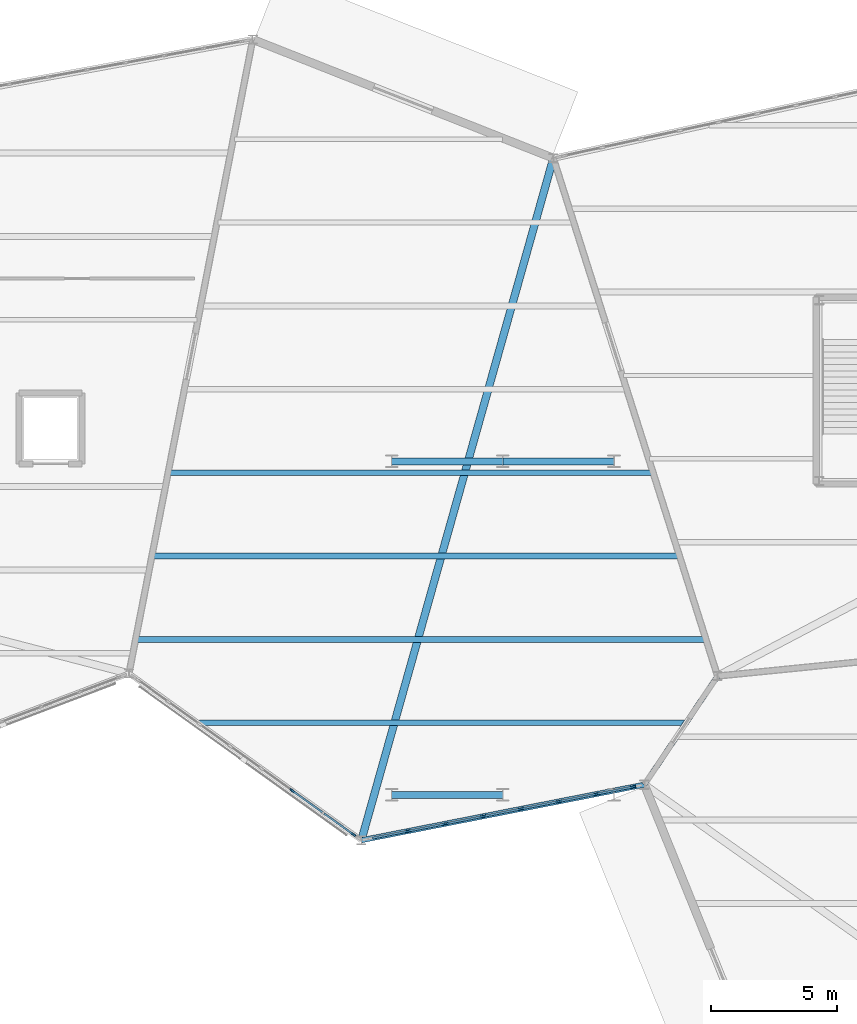
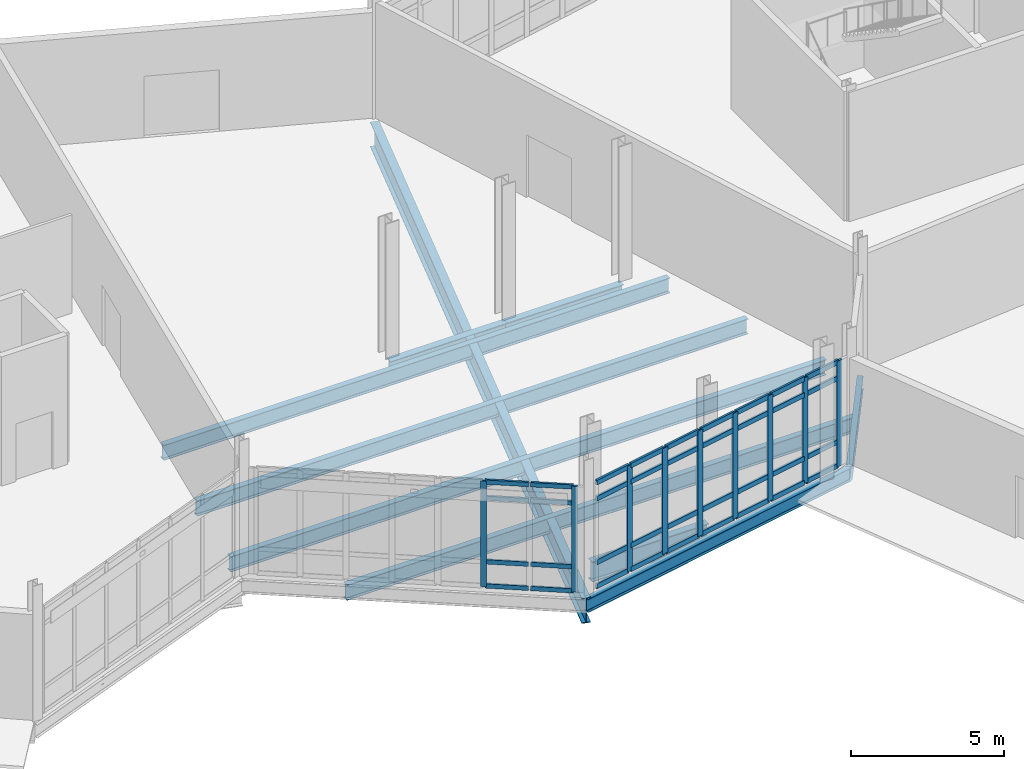
# One storey, part 55 of 113: 45 members, 10 beams, 2 elements without a shape of their own.
"""IFC4 building model written with IfcOpenShell, lengths in metres."""

from ifc_helpers import new_model, si_unit, direction, frame, origin, origin_2d, place, context, subcontext, project, spatial, rectangle, i_section, extrude, material, material_profile, profile_set, type_object, element, aggregate, save


model = new_model("IFC4")

# Units and contexts
model_context = context("Model", 3, precision=1e-05, world=origin(), true_north=direction((0.0, 1.0)))
body_context = subcontext(model_context, "Body", "Model", "MODEL_VIEW")
ifc_project = project(units=[si_unit("LENGTHUNIT", "METRE"), si_unit("AREAUNIT", "SQUARE_METRE"), si_unit("VOLUMEUNIT", "CUBIC_METRE"), si_unit("PLANEANGLEUNIT", "RADIAN"), si_unit("MASSUNIT", "GRAM", prefix="KILO")], contexts=[model_context])

# Site, building, storey
site_placement = place(None, origin())
site = spatial("IfcSite", under=ifc_project, at=site_placement, CompositionType="ELEMENT")
building_placement = place(site_placement, origin())
building = spatial("IfcBuilding", under=site, at=building_placement, Name="Tameran Prism Museum", CompositionType="ELEMENT")
storey_placement = place(building_placement, origin())
storey = spatial("IfcBuildingStorey", under=building, at=storey_placement, Name="L00", CompositionType="ELEMENT", Elevation=0.0)

# Beams
ifc_material_1 = material(Name="Steel Grade 300PLUS (300 MPa)", Category="steel")
ifc_material_profile_1 = material_profile(ifc_material_1, i_section(OverallWidth=0.208984375, OverallDepth=0.532958984375, WebThickness=0.01025390625, FlangeThickness=0.015625, FilletRadius=0.013916015625, at=origin_2d()))
ifc_profile_set_1 = profile_set([ifc_material_profile_1])
beam_type_1 = type_object("IfcBeamType", Name="BM-SP530A", PredefinedType="SPANDREL", material=ifc_profile_set_1)
beam_1_placement = place(storey_placement, frame((129.89990234375, 15.699951171875, -0.506591796875), z_axis=(0.981250265265, 0.192737948825, 0.0), x_axis=(-0.192737948825, 0.981250265265, 0.0)))
element("IfcBeam", 1, at=beam_1_placement, inside=storey, type_object=beam_type_1, Name="Perimeter Spandrel SP-0044", PredefinedType="SPANDREL", context=body_context, shape_type="SweptSolid", body=[
    extrude(i_section(OverallWidth=0.208984375, OverallDepth=0.532958984375, WebThickness=0.01025390625, FlangeThickness=0.015625, FilletRadius=0.013916015625, at=origin_2d()), origin(), (0.0, 0.0, 1.0), 11.414306640625),
])
ifc_material_2 = material(Name="Steel Grade 300PLUS (300 MPa)", Category="steel")
ifc_material_profile_2 = material_profile(ifc_material_2, i_section(OverallWidth=0.208984375, OverallDepth=0.528076171875, WebThickness=0.009521484375, FlangeThickness=0.01318359375, FilletRadius=0.013916015625, at=origin_2d()))
ifc_profile_set_2 = profile_set([ifc_material_profile_2])
beam_type_2 = type_object("IfcBeamType", Name="BM-SP530B", PredefinedType="SPANDREL", material=ifc_profile_set_2)
beam_2_placement = place(storey_placement, frame((141.10009765625, 17.89990234375, -0.50390625), z_axis=(0.559124361662, 0.829083800467, 0.0), x_axis=(-0.829083800467, 0.559124361662, 0.0)))
element("IfcBeam", 2, at=beam_2_placement, inside=storey, type_object=beam_type_2, Name="Perimeter Spandrel SP-0045", PredefinedType="SPANDREL", context=body_context, shape_type="SweptSolid", body=[
    extrude(i_section(OverallWidth=0.208984375, OverallDepth=0.528076171875, WebThickness=0.009521484375, FlangeThickness=0.01318359375, FilletRadius=0.013916015625, at=origin_2d()), origin(), (0.0, 0.0, 1.0), 5.1865234375),
])
ifc_material_3 = material(Name="Steel Grade 300PLUS (300 MPa)", Category="steel")
ifc_material_profile_3 = material_profile(ifc_material_3, i_section(OverallWidth=0.22802734375, OverallDepth=0.60693359375, WebThickness=0.01123046875, FlangeThickness=0.017333984375, FilletRadius=0.013916015625, at=origin_2d()))
ifc_profile_set_3 = profile_set([ifc_material_profile_3])
beam_type_3 = type_object("IfcBeamType", Name="BM-UB610B", PredefinedType="BEAM", material=ifc_profile_set_3)
beam_3_placement = place(storey_placement, frame((123.487060546875, 20.35009765625, -0.54345703125), z_axis=(1.0, 0.0, 0.0), x_axis=(0.0, 1.0, 0.0)))
element("IfcBeam", 3, at=beam_3_placement, inside=storey, type_object=beam_type_3, Name="Floor Beam BM-0239", PredefinedType="BEAM", context=body_context, shape_type="SweptSolid", body=[
    extrude(i_section(OverallWidth=0.22802734375, OverallDepth=0.60693359375, WebThickness=0.01123046875, FlangeThickness=0.017333984375, FilletRadius=0.013916015625, at=origin_2d()), origin(), (0.0, 0.0, 1.0), 19.217041015625),
])
beam_4_placement = place(storey_placement, frame((121.00390625, 23.64990234375, -0.54345703125), z_axis=(1.0, 0.0, 0.0), x_axis=(0.0, 1.0, 0.0)))
element("IfcBeam", 4, at=beam_4_placement, inside=storey, type_object=beam_type_3, Name="Floor Beam BM-0240", PredefinedType="BEAM", context=body_context, shape_type="SweptSolid", body=[
    extrude(i_section(OverallWidth=0.22802734375, OverallDepth=0.60693359375, WebThickness=0.01123046875, FlangeThickness=0.017333984375, FilletRadius=0.013916015625, at=origin_2d()), origin(), (0.0, 0.0, 1.0), 22.494140625),
])
beam_5_placement = place(storey_placement, frame((121.64892578125, 26.949951171875, -0.54345703125), z_axis=(1.0, 0.0, 0.0), x_axis=(0.0, 1.0, 0.0)))
element("IfcBeam", 5, at=beam_5_placement, inside=storey, type_object=beam_type_3, Name="Floor Beam BM-0241", PredefinedType="BEAM", context=body_context, shape_type="SweptSolid", body=[
    extrude(i_section(OverallWidth=0.22802734375, OverallDepth=0.60693359375, WebThickness=0.01123046875, FlangeThickness=0.017333984375, FilletRadius=0.013916015625, at=origin_2d()), origin(), (0.0, 0.0, 1.0), 20.802978515625),
])
beam_6_placement = place(storey_placement, frame((122.29296875, 30.25, -0.54345703125), z_axis=(1.0, 0.0, 0.0), x_axis=(0.0, 1.0, 0.0)))
element("IfcBeam", 6, at=beam_6_placement, inside=storey, type_object=beam_type_3, Name="Floor Beam BM-0242", PredefinedType="BEAM", context=body_context, shape_type="SweptSolid", body=[
    extrude(i_section(OverallWidth=0.22802734375, OverallDepth=0.60693359375, WebThickness=0.01123046875, FlangeThickness=0.017333984375, FilletRadius=0.013916015625, at=origin_2d()), origin(), (0.0, 0.0, 1.0), 19.113037109375),
])
ifc_material_4 = material(Name="Steel Grade 350 (350 MPa)", Category="steel")
ifc_material_profile_4 = material_profile(ifc_material_4, i_section(OverallWidth=0.300048828125, OverallDepth=1.0, WebThickness=0.01611328125, FlangeThickness=0.031982421875, at=origin_2d()))
ifc_profile_set_4 = profile_set([ifc_material_profile_4])
beam_type_4 = type_object("IfcBeamType", Name="BM-WB1000", PredefinedType="BEAM", material=ifc_profile_set_4)
beam_7_placement = place(storey_placement, frame((137.5, 42.699951171875, -0.739990234375), z_axis=(-0.270955285512, -0.962591934962, 0.0), x_axis=(0.962591934962, -0.270955285512, 0.0)))
element("IfcBeam", 7, at=beam_7_placement, inside=storey, type_object=beam_type_4, Name="Primary Vertex Girder PG-0047", PredefinedType="BEAM", context=body_context, shape_type="SweptSolid", body=[
    extrude(i_section(OverallWidth=0.300048828125, OverallDepth=1.0, WebThickness=0.01611328125, FlangeThickness=0.031982421875, at=origin_2d()), origin(), (0.0, 0.0, 1.0), 28.04931640625),
])
ifc_material_5 = material(Name="Steel Grade 350 (350 MPa)", Category="steel")
ifc_material_profile_5 = material_profile(ifc_material_5, i_section(OverallWidth=0.27490234375, OverallDepth=0.800048828125, WebThickness=0.011962890625, FlangeThickness=0.02490234375, at=origin_2d()))
ifc_profile_set_5 = profile_set([ifc_material_profile_5])
beam_type_5 = type_object("IfcBeamType", Name="BM-WB800", PredefinedType="BEAM", material=ifc_profile_set_5)
for number, where, z_axis, x_axis, name in (
    (8, (131.10009765625, 17.5, -0.639892578125), (1.0, 0.0, 0.0), (0.0, 1.0, 0.0), "Frame Tie Girder FG-1366"),
    (9, (131.10009765625, 30.699951171875, -0.639892578125), (1.0, 0.0, 0.0), (0.0, 1.0, 0.0), "Frame Tie Girder FG-1371"),
    (10, (135.5, 30.699951171875, -0.639892578125), (1.0, 0.0, 0.0), (0.0, 1.0, 0.0), "Frame Tie Girder FG-1376"),
):
    element("IfcBeam", number, at=place(storey_placement, frame(where, z_axis=z_axis, x_axis=x_axis)), inside=storey, type_object=beam_type_5, Name=name, PredefinedType="BEAM", context=body_context, shape_type="SweptSolid", body=[
        extrude(i_section(OverallWidth=0.27490234375, OverallDepth=0.800048828125, WebThickness=0.011962890625, FlangeThickness=0.02490234375, at=origin_2d()), origin(), (0.0, 0.0, 1.0), 4.39990234375),
    ])

# Curtain wall, members
ifc_material_6 = material(Name="Anodised Aluminium 6063-T6 and Cyclone Solar Glass", Category="aluminium")
curtain_wall_type_1 = type_object("IfcCurtainWallType", Name="CW-FAC-1056x422", PredefinedType="USERDEFINED", material=ifc_material_6)
curtain_wall_1_placement = place(storey_placement, origin())
curtain_wall_1 = element("IfcCurtainWall", 11, at=curtain_wall_1_placement, inside=storey, type_object=curtain_wall_type_1, Name="Unitised Curtain Wall CW-037", ObjectType="UNITISED CURTAIN WALL", PredefinedType="USERDEFINED")
ifc_material_7 = material(Name="Anodised Aluminium Alloy 6063-T6", Category="aluminium")
ifc_material_profile_6 = material_profile(ifc_material_7, rectangle(XDim=0.074951171875, YDim=0.199951171875, at=origin_2d()))
ifc_profile_set_6 = profile_set([ifc_material_profile_6])
member_type_1 = type_object("IfcMemberType", Name="CW-MUL-C", PredefinedType="MULLION", material=ifc_profile_set_6)
member_1_placement = place(storey_placement, frame((129.58544921875, 15.92578125, 0.0), z_axis=(0.0, 0.0, 1.0), x_axis=(-0.582884776259, -0.812554821293, 0.0)))
member_1 = element("IfcMember", 12, at=member_1_placement, type_object=member_type_1, Name="CW-037 mullion 1", PredefinedType="MULLION", context=body_context, shape_type="SweptSolid", body=[
    extrude(rectangle(XDim=0.074951171875, YDim=0.199951171875, at=origin_2d()), origin(), (0.0, 0.0, 1.0), 4.219970703125),
])
member_2_placement = place(storey_placement, frame((127.163818359375, 17.6630859375, 0.0), z_axis=(0.0, 0.0, 1.0), x_axis=(-0.582884776259, -0.812554821293, 0.0)))
member_2 = element("IfcMember", 13, at=member_2_placement, type_object=member_type_1, Name="CW-037 mullion 3", PredefinedType="MULLION", context=body_context, shape_type="SweptSolid", body=[
    extrude(rectangle(XDim=0.074951171875, YDim=0.199951171875, at=origin_2d()), origin(), (0.0, 0.0, 1.0), 4.219970703125),
])

ifc_material_8 = material(Name="Anodised Aluminium 6063-T6 and Cyclone Solar Glass", Category="aluminium")
curtain_wall_type_2 = type_object("IfcCurtainWallType", Name="CW-FAC-1065x422", PredefinedType="USERDEFINED", material=ifc_material_8)
curtain_wall_2_placement = place(storey_placement, origin())
curtain_wall_2 = element("IfcCurtainWall", 14, at=curtain_wall_2_placement, inside=storey, type_object=curtain_wall_type_2, Name="Unitised Curtain Wall CW-038", ObjectType="UNITISED CURTAIN WALL", PredefinedType="USERDEFINED")
ifc_material_9 = material(Name="Anodised Aluminium Alloy 6063-T6", Category="aluminium")
ifc_material_profile_7 = material_profile(ifc_material_9, rectangle(XDim=0.080078125, YDim=0.219970703125, at=origin_2d()))
ifc_profile_set_7 = profile_set([ifc_material_profile_7])
member_type_2 = type_object("IfcMemberType", Name="CW-MUL-D", PredefinedType="MULLION", material=ifc_profile_set_7)
member_3_placement = place(storey_placement, frame((140.65869140625, 17.813232421875, 0.0), z_axis=(0.0, 0.0, 1.0), x_axis=(0.192775964228, -0.981242797485, 0.0)))
member_3 = element("IfcMember", 15, at=member_3_placement, type_object=member_type_2, Name="CW-038 mullion 1", PredefinedType="MULLION", context=body_context, shape_type="SweptSolid", body=[
    extrude(rectangle(XDim=0.080078125, YDim=0.219970703125, at=origin_2d()), origin(), (0.0, 0.0, 1.0), 4.219970703125),
])
member_4_placement = place(storey_placement, frame((139.204345703125, 17.527587890625, 0.0), z_axis=(0.0, 0.0, 1.0), x_axis=(0.192775964228, -0.981242797485, 0.0)))
member_4 = element("IfcMember", 16, at=member_4_placement, type_object=member_type_2, Name="CW-038 mullion 2", PredefinedType="MULLION", context=body_context, shape_type="SweptSolid", body=[
    extrude(rectangle(XDim=0.080078125, YDim=0.219970703125, at=origin_2d()), origin(), (0.0, 0.0, 1.0), 4.219970703125),
])
member_5_placement = place(storey_placement, frame((137.7109375, 17.234130859375, 0.0), z_axis=(0.0, 0.0, 1.0), x_axis=(0.192775964228, -0.981242797485, 0.0)))
member_5 = element("IfcMember", 17, at=member_5_placement, type_object=member_type_2, Name="CW-038 mullion 3", PredefinedType="MULLION", context=body_context, shape_type="SweptSolid", body=[
    extrude(rectangle(XDim=0.080078125, YDim=0.219970703125, at=origin_2d()), origin(), (0.0, 0.0, 1.0), 4.219970703125),
])
member_6_placement = place(storey_placement, frame((136.21728515625, 16.940673828125, 0.0), z_axis=(0.0, 0.0, 1.0), x_axis=(0.192775964228, -0.981242797485, 0.0)))
member_6 = element("IfcMember", 18, at=member_6_placement, type_object=member_type_2, Name="CW-038 mullion 4", PredefinedType="MULLION", context=body_context, shape_type="SweptSolid", body=[
    extrude(rectangle(XDim=0.080078125, YDim=0.219970703125, at=origin_2d()), origin(), (0.0, 0.0, 1.0), 4.219970703125),
])
member_7_placement = place(storey_placement, frame((134.7236328125, 16.647216796875, 0.0), z_axis=(0.0, 0.0, 1.0), x_axis=(0.192775964228, -0.981242797485, 0.0)))
member_7 = element("IfcMember", 19, at=member_7_placement, type_object=member_type_2, Name="CW-038 mullion 5", PredefinedType="MULLION", context=body_context, shape_type="SweptSolid", body=[
    extrude(rectangle(XDim=0.080078125, YDim=0.219970703125, at=origin_2d()), origin(), (0.0, 0.0, 1.0), 4.219970703125),
])
member_8_placement = place(storey_placement, frame((133.230224609375, 16.353759765625, 0.0), z_axis=(0.0, 0.0, 1.0), x_axis=(0.192775964228, -0.981242797485, 0.0)))
member_8 = element("IfcMember", 20, at=member_8_placement, type_object=member_type_2, Name="CW-038 mullion 6", PredefinedType="MULLION", context=body_context, shape_type="SweptSolid", body=[
    extrude(rectangle(XDim=0.080078125, YDim=0.219970703125, at=origin_2d()), origin(), (0.0, 0.0, 1.0), 4.219970703125),
])
member_9_placement = place(storey_placement, frame((131.736572265625, 16.060546875, 0.0), z_axis=(0.0, 0.0, 1.0), x_axis=(0.192775964228, -0.981242797485, 0.0)))
member_9 = element("IfcMember", 21, at=member_9_placement, type_object=member_type_2, Name="CW-038 mullion 7", PredefinedType="MULLION", context=body_context, shape_type="SweptSolid", body=[
    extrude(rectangle(XDim=0.080078125, YDim=0.219970703125, at=origin_2d()), origin(), (0.0, 0.0, 1.0), 4.219970703125),
])

# Member
ifc_material_10 = material(Name="Anodised Aluminium Alloy 6063-T6", Category="aluminium")
ifc_material_profile_8 = material_profile(ifc_material_10, rectangle(XDim=0.074951171875, YDim=0.175048828125, at=origin_2d()))
ifc_profile_set_8 = profile_set([ifc_material_profile_8])
member_type_3 = type_object("IfcMemberType", Name="CW-TRN-C", PredefinedType="USERDEFINED", material=ifc_profile_set_8)
member_10_placement = place(storey_placement, frame((129.55517578125, 15.94775390625, 0.03759765625), z_axis=(-0.812574249937, 0.582857691327, 0.0), x_axis=(-0.582857691327, -0.812574249937, 0.0)))
member_10 = element("IfcMember", 22, at=member_10_placement, type_object=member_type_3, Name="CW-037 transom 1.1", ObjectType="TRANSOM", PredefinedType="USERDEFINED", context=body_context, shape_type="SweptSolid", body=[
    extrude(rectangle(XDim=0.074951171875, YDim=0.175048828125, at=origin_2d()), origin(), (0.0, 0.0, 1.0), 1.396484375),
])

member_11_placement = place(storey_placement, frame((129.55517578125, 15.94775390625, 1.0), z_axis=(-0.812574249937, 0.582857691327, 0.0), x_axis=(-0.582857691327, -0.812574249937, 0.0)))
member_11 = element("IfcMember", 23, at=member_11_placement, type_object=member_type_3, Name="CW-037 transom 1.2", ObjectType="TRANSOM", PredefinedType="USERDEFINED", context=body_context, shape_type="SweptSolid", body=[
    extrude(rectangle(XDim=0.074951171875, YDim=0.175048828125, at=origin_2d()), origin(), (0.0, 0.0, 1.0), 1.396484375),
])

member_12_placement = place(storey_placement, frame((129.55517578125, 15.94775390625, 3.5400390625), z_axis=(-0.812574249937, 0.582857691327, 0.0), x_axis=(-0.582857691327, -0.812574249937, 0.0)))
member_12 = element("IfcMember", 24, at=member_12_placement, type_object=member_type_3, Name="CW-037 transom 1.3", ObjectType="TRANSOM", PredefinedType="USERDEFINED", context=body_context, shape_type="SweptSolid", body=[
    extrude(rectangle(XDim=0.074951171875, YDim=0.175048828125, at=origin_2d()), origin(), (0.0, 0.0, 1.0), 1.396484375),
])

member_13_placement = place(storey_placement, frame((129.55517578125, 15.94775390625, 4.1826171875), z_axis=(-0.812574249937, 0.582857691327, 0.0), x_axis=(-0.582857691327, -0.812574249937, 0.0)))
member_13 = element("IfcMember", 25, at=member_13_placement, type_object=member_type_3, Name="CW-037 transom 1.4", ObjectType="TRANSOM", PredefinedType="USERDEFINED", context=body_context, shape_type="SweptSolid", body=[
    extrude(rectangle(XDim=0.074951171875, YDim=0.175048828125, at=origin_2d()), origin(), (0.0, 0.0, 1.0), 1.396484375),
])

member_14_placement = place(storey_placement, frame((128.359375, 16.805419921875, 0.03759765625), z_axis=(-0.812547014752, 0.582895658603, 0.0), x_axis=(-0.582895658603, -0.812547014752, 0.0)))
member_14 = element("IfcMember", 26, at=member_14_placement, type_object=member_type_3, Name="CW-037 transom 2.1", ObjectType="TRANSOM", PredefinedType="USERDEFINED", context=body_context, shape_type="SweptSolid", body=[
    extrude(rectangle(XDim=0.074951171875, YDim=0.175048828125, at=origin_2d()), origin(), (0.0, 0.0, 1.0), 1.43408203125),
])

member_15_placement = place(storey_placement, frame((128.359375, 16.805419921875, 1.0), z_axis=(-0.812547014752, 0.582895658603, 0.0), x_axis=(-0.582895658603, -0.812547014752, 0.0)))
member_15 = element("IfcMember", 27, at=member_15_placement, type_object=member_type_3, Name="CW-037 transom 2.2", ObjectType="TRANSOM", PredefinedType="USERDEFINED", context=body_context, shape_type="SweptSolid", body=[
    extrude(rectangle(XDim=0.074951171875, YDim=0.175048828125, at=origin_2d()), origin(), (0.0, 0.0, 1.0), 1.43408203125),
])

member_16_placement = place(storey_placement, frame((128.359375, 16.805419921875, 3.5400390625), z_axis=(-0.812547014752, 0.582895658603, 0.0), x_axis=(-0.582895658603, -0.812547014752, 0.0)))
member_16 = element("IfcMember", 28, at=member_16_placement, type_object=member_type_3, Name="CW-037 transom 2.3", ObjectType="TRANSOM", PredefinedType="USERDEFINED", context=body_context, shape_type="SweptSolid", body=[
    extrude(rectangle(XDim=0.074951171875, YDim=0.175048828125, at=origin_2d()), origin(), (0.0, 0.0, 1.0), 1.43408203125),
])

member_17_placement = place(storey_placement, frame((128.359375, 16.805419921875, 4.1826171875), z_axis=(-0.812547014752, 0.582895658603, 0.0), x_axis=(-0.582895658603, -0.812547014752, 0.0)))
member_17 = element("IfcMember", 29, at=member_17_placement, type_object=member_type_3, Name="CW-037 transom 2.4", ObjectType="TRANSOM", PredefinedType="USERDEFINED", context=body_context, shape_type="SweptSolid", body=[
    extrude(rectangle(XDim=0.074951171875, YDim=0.175048828125, at=origin_2d()), origin(), (0.0, 0.0, 1.0), 1.43408203125),
])

aggregate(curtain_wall_1, [member_1, member_2, member_10, member_11, member_12, member_13, member_14, member_15, member_16, member_17])

ifc_material_11 = material(Name="Anodised Aluminium Alloy 6063-T6", Category="aluminium")
ifc_material_profile_9 = material_profile(ifc_material_11, rectangle(XDim=0.080078125, YDim=0.195068359375, at=origin_2d()))
ifc_profile_set_9 = profile_set([ifc_material_profile_9])
member_type_4 = type_object("IfcMemberType", Name="CW-TRN-D", PredefinedType="USERDEFINED", material=ifc_profile_set_9)
member_18_placement = place(storey_placement, frame((140.619384765625, 17.8056640625, 0.0400390625), z_axis=(-0.981244703529, -0.192766262078, 0.0), x_axis=(0.192766262078, -0.981244703529, 0.0)))
member_18 = element("IfcMember", 30, at=member_18_placement, type_object=member_type_4, Name="CW-038 transom 1.1", ObjectType="TRANSOM", PredefinedType="USERDEFINED", context=body_context, shape_type="SweptSolid", body=[
    extrude(rectangle(XDim=0.080078125, YDim=0.195068359375, at=origin_2d()), origin(), (0.0, 0.0, 1.0), 1.402099609375),
])

member_19_placement = place(storey_placement, frame((140.619384765625, 17.8056640625, 1.0), z_axis=(-0.981244703529, -0.192766262078, 0.0), x_axis=(0.192766262078, -0.981244703529, 0.0)))
member_19 = element("IfcMember", 31, at=member_19_placement, type_object=member_type_4, Name="CW-038 transom 1.2", ObjectType="TRANSOM", PredefinedType="USERDEFINED", context=body_context, shape_type="SweptSolid", body=[
    extrude(rectangle(XDim=0.080078125, YDim=0.195068359375, at=origin_2d()), origin(), (0.0, 0.0, 1.0), 1.402099609375),
])

member_20_placement = place(storey_placement, frame((140.619384765625, 17.8056640625, 3.5400390625), z_axis=(-0.981244703529, -0.192766262078, 0.0), x_axis=(0.192766262078, -0.981244703529, 0.0)))
member_20 = element("IfcMember", 32, at=member_20_placement, type_object=member_type_4, Name="CW-038 transom 1.3", ObjectType="TRANSOM", PredefinedType="USERDEFINED", context=body_context, shape_type="SweptSolid", body=[
    extrude(rectangle(XDim=0.080078125, YDim=0.195068359375, at=origin_2d()), origin(), (0.0, 0.0, 1.0), 1.402099609375),
])

member_21_placement = place(storey_placement, frame((140.619384765625, 17.8056640625, 4.179931640625), z_axis=(-0.981244703529, -0.192766262078, 0.0), x_axis=(0.192766262078, -0.981244703529, 0.0)))
member_21 = element("IfcMember", 33, at=member_21_placement, type_object=member_type_4, Name="CW-038 transom 1.4", ObjectType="TRANSOM", PredefinedType="USERDEFINED", context=body_context, shape_type="SweptSolid", body=[
    extrude(rectangle(XDim=0.080078125, YDim=0.195068359375, at=origin_2d()), origin(), (0.0, 0.0, 1.0), 1.402099609375),
])

member_22_placement = place(storey_placement, frame((139.165283203125, 17.519775390625, 0.0400390625), z_axis=(-0.981271109868, -0.192631796279, 0.0), x_axis=(0.192631796279, -0.981271109868, 0.0)))
member_22 = element("IfcMember", 34, at=member_22_placement, type_object=member_type_4, Name="CW-038 transom 2.1", ObjectType="TRANSOM", PredefinedType="USERDEFINED", context=body_context, shape_type="SweptSolid", body=[
    extrude(rectangle(XDim=0.080078125, YDim=0.195068359375, at=origin_2d()), origin(), (0.0, 0.0, 1.0), 1.4423828125),
])

member_23_placement = place(storey_placement, frame((139.165283203125, 17.519775390625, 1.0), z_axis=(-0.981271109868, -0.192631796279, 0.0), x_axis=(0.192631796279, -0.981271109868, 0.0)))
member_23 = element("IfcMember", 35, at=member_23_placement, type_object=member_type_4, Name="CW-038 transom 2.2", ObjectType="TRANSOM", PredefinedType="USERDEFINED", context=body_context, shape_type="SweptSolid", body=[
    extrude(rectangle(XDim=0.080078125, YDim=0.195068359375, at=origin_2d()), origin(), (0.0, 0.0, 1.0), 1.4423828125),
])

member_24_placement = place(storey_placement, frame((139.165283203125, 17.519775390625, 3.5400390625), z_axis=(-0.981271109868, -0.192631796279, 0.0), x_axis=(0.192631796279, -0.981271109868, 0.0)))
member_24 = element("IfcMember", 36, at=member_24_placement, type_object=member_type_4, Name="CW-038 transom 2.3", ObjectType="TRANSOM", PredefinedType="USERDEFINED", context=body_context, shape_type="SweptSolid", body=[
    extrude(rectangle(XDim=0.080078125, YDim=0.195068359375, at=origin_2d()), origin(), (0.0, 0.0, 1.0), 1.4423828125),
])

member_25_placement = place(storey_placement, frame((139.165283203125, 17.519775390625, 4.179931640625), z_axis=(-0.981271109868, -0.192631796279, 0.0), x_axis=(0.192631796279, -0.981271109868, 0.0)))
member_25 = element("IfcMember", 37, at=member_25_placement, type_object=member_type_4, Name="CW-038 transom 2.4", ObjectType="TRANSOM", PredefinedType="USERDEFINED", context=body_context, shape_type="SweptSolid", body=[
    extrude(rectangle(XDim=0.080078125, YDim=0.195068359375, at=origin_2d()), origin(), (0.0, 0.0, 1.0), 1.4423828125),
])

member_26_placement = place(storey_placement, frame((137.671630859375, 17.226318359375, 0.0400390625), z_axis=(-0.981264827117, -0.192663798009, 0.0), x_axis=(0.192663798009, -0.981264827117, 0.0)))
member_26 = element("IfcMember", 38, at=member_26_placement, type_object=member_type_4, Name="CW-038 transom 3.1", ObjectType="TRANSOM", PredefinedType="USERDEFINED", context=body_context, shape_type="SweptSolid", body=[
    extrude(rectangle(XDim=0.080078125, YDim=0.195068359375, at=origin_2d()), origin(), (0.0, 0.0, 1.0), 1.442138671875),
])

member_27_placement = place(storey_placement, frame((137.671630859375, 17.226318359375, 1.0), z_axis=(-0.981264827117, -0.192663798009, 0.0), x_axis=(0.192663798009, -0.981264827117, 0.0)))
member_27 = element("IfcMember", 39, at=member_27_placement, type_object=member_type_4, Name="CW-038 transom 3.2", ObjectType="TRANSOM", PredefinedType="USERDEFINED", context=body_context, shape_type="SweptSolid", body=[
    extrude(rectangle(XDim=0.080078125, YDim=0.195068359375, at=origin_2d()), origin(), (0.0, 0.0, 1.0), 1.442138671875),
])

member_28_placement = place(storey_placement, frame((137.671630859375, 17.226318359375, 3.5400390625), z_axis=(-0.981264827117, -0.192663798009, 0.0), x_axis=(0.192663798009, -0.981264827117, 0.0)))
member_28 = element("IfcMember", 40, at=member_28_placement, type_object=member_type_4, Name="CW-038 transom 3.3", ObjectType="TRANSOM", PredefinedType="USERDEFINED", context=body_context, shape_type="SweptSolid", body=[
    extrude(rectangle(XDim=0.080078125, YDim=0.195068359375, at=origin_2d()), origin(), (0.0, 0.0, 1.0), 1.442138671875),
])

member_29_placement = place(storey_placement, frame((137.671630859375, 17.226318359375, 4.179931640625), z_axis=(-0.981264827117, -0.192663798009, 0.0), x_axis=(0.192663798009, -0.981264827117, 0.0)))
member_29 = element("IfcMember", 41, at=member_29_placement, type_object=member_type_4, Name="CW-038 transom 3.4", ObjectType="TRANSOM", PredefinedType="USERDEFINED", context=body_context, shape_type="SweptSolid", body=[
    extrude(rectangle(XDim=0.080078125, YDim=0.195068359375, at=origin_2d()), origin(), (0.0, 0.0, 1.0), 1.442138671875),
])

member_30_placement = place(storey_placement, frame((136.177978515625, 16.93310546875, 0.0400390625), z_axis=(-0.981232807678, -0.192826806064, 0.0), x_axis=(0.192826806064, -0.981232807678, 0.0)))
member_30 = element("IfcMember", 42, at=member_30_placement, type_object=member_type_4, Name="CW-038 transom 4.1", ObjectType="TRANSOM", PredefinedType="USERDEFINED", context=body_context, shape_type="SweptSolid", body=[
    extrude(rectangle(XDim=0.080078125, YDim=0.195068359375, at=origin_2d()), origin(), (0.0, 0.0, 1.0), 1.442138671875),
])

member_31_placement = place(storey_placement, frame((136.177978515625, 16.93310546875, 1.0), z_axis=(-0.981232807678, -0.192826806064, 0.0), x_axis=(0.192826806064, -0.981232807678, 0.0)))
member_31 = element("IfcMember", 43, at=member_31_placement, type_object=member_type_4, Name="CW-038 transom 4.2", ObjectType="TRANSOM", PredefinedType="USERDEFINED", context=body_context, shape_type="SweptSolid", body=[
    extrude(rectangle(XDim=0.080078125, YDim=0.195068359375, at=origin_2d()), origin(), (0.0, 0.0, 1.0), 1.442138671875),
])

member_32_placement = place(storey_placement, frame((136.177978515625, 16.93310546875, 3.5400390625), z_axis=(-0.981232807678, -0.192826806064, 0.0), x_axis=(0.192826806064, -0.981232807678, 0.0)))
member_32 = element("IfcMember", 44, at=member_32_placement, type_object=member_type_4, Name="CW-038 transom 4.3", ObjectType="TRANSOM", PredefinedType="USERDEFINED", context=body_context, shape_type="SweptSolid", body=[
    extrude(rectangle(XDim=0.080078125, YDim=0.195068359375, at=origin_2d()), origin(), (0.0, 0.0, 1.0), 1.442138671875),
])

member_33_placement = place(storey_placement, frame((136.177978515625, 16.93310546875, 4.179931640625), z_axis=(-0.981232807678, -0.192826806064, 0.0), x_axis=(0.192826806064, -0.981232807678, 0.0)))
member_33 = element("IfcMember", 45, at=member_33_placement, type_object=member_type_4, Name="CW-038 transom 4.4", ObjectType="TRANSOM", PredefinedType="USERDEFINED", context=body_context, shape_type="SweptSolid", body=[
    extrude(rectangle(XDim=0.080078125, YDim=0.195068359375, at=origin_2d()), origin(), (0.0, 0.0, 1.0), 1.442138671875),
])

member_34_placement = place(storey_placement, frame((134.6845703125, 16.6396484375, 0.0400390625), z_axis=(-0.98123910086, -0.192794779348, 0.0), x_axis=(0.192794779348, -0.98123910086, 0.0)))
member_34 = element("IfcMember", 46, at=member_34_placement, type_object=member_type_4, Name="CW-038 transom 5.1", ObjectType="TRANSOM", PredefinedType="USERDEFINED", context=body_context, shape_type="SweptSolid", body=[
    extrude(rectangle(XDim=0.080078125, YDim=0.195068359375, at=origin_2d()), origin(), (0.0, 0.0, 1.0), 1.4423828125),
])

member_35_placement = place(storey_placement, frame((134.6845703125, 16.6396484375, 1.0), z_axis=(-0.98123910086, -0.192794779348, 0.0), x_axis=(0.192794779348, -0.98123910086, 0.0)))
member_35 = element("IfcMember", 47, at=member_35_placement, type_object=member_type_4, Name="CW-038 transom 5.2", ObjectType="TRANSOM", PredefinedType="USERDEFINED", context=body_context, shape_type="SweptSolid", body=[
    extrude(rectangle(XDim=0.080078125, YDim=0.195068359375, at=origin_2d()), origin(), (0.0, 0.0, 1.0), 1.4423828125),
])

member_36_placement = place(storey_placement, frame((134.6845703125, 16.6396484375, 3.5400390625), z_axis=(-0.98123910086, -0.192794779348, 0.0), x_axis=(0.192794779348, -0.98123910086, 0.0)))
member_36 = element("IfcMember", 48, at=member_36_placement, type_object=member_type_4, Name="CW-038 transom 5.3", ObjectType="TRANSOM", PredefinedType="USERDEFINED", context=body_context, shape_type="SweptSolid", body=[
    extrude(rectangle(XDim=0.080078125, YDim=0.195068359375, at=origin_2d()), origin(), (0.0, 0.0, 1.0), 1.4423828125),
])

member_37_placement = place(storey_placement, frame((134.6845703125, 16.6396484375, 4.179931640625), z_axis=(-0.98123910086, -0.192794779348, 0.0), x_axis=(0.192794779348, -0.98123910086, 0.0)))
member_37 = element("IfcMember", 49, at=member_37_placement, type_object=member_type_4, Name="CW-038 transom 5.4", ObjectType="TRANSOM", PredefinedType="USERDEFINED", context=body_context, shape_type="SweptSolid", body=[
    extrude(rectangle(XDim=0.080078125, YDim=0.195068359375, at=origin_2d()), origin(), (0.0, 0.0, 1.0), 1.4423828125),
])

member_38_placement = place(storey_placement, frame((133.19091796875, 16.34619140625, 0.0400390625), z_axis=(-0.981232807678, -0.192826806064, 0.0), x_axis=(0.192826806064, -0.981232807678, 0.0)))
member_38 = element("IfcMember", 50, at=member_38_placement, type_object=member_type_4, Name="CW-038 transom 6.1", ObjectType="TRANSOM", PredefinedType="USERDEFINED", context=body_context, shape_type="SweptSolid", body=[
    extrude(rectangle(XDim=0.080078125, YDim=0.195068359375, at=origin_2d()), origin(), (0.0, 0.0, 1.0), 1.442138671875),
])

member_39_placement = place(storey_placement, frame((133.19091796875, 16.34619140625, 1.0), z_axis=(-0.981232807678, -0.192826806064, 0.0), x_axis=(0.192826806064, -0.981232807678, 0.0)))
member_39 = element("IfcMember", 51, at=member_39_placement, type_object=member_type_4, Name="CW-038 transom 6.2", ObjectType="TRANSOM", PredefinedType="USERDEFINED", context=body_context, shape_type="SweptSolid", body=[
    extrude(rectangle(XDim=0.080078125, YDim=0.195068359375, at=origin_2d()), origin(), (0.0, 0.0, 1.0), 1.442138671875),
])

member_40_placement = place(storey_placement, frame((133.19091796875, 16.34619140625, 3.5400390625), z_axis=(-0.981232807678, -0.192826806064, 0.0), x_axis=(0.192826806064, -0.981232807678, 0.0)))
member_40 = element("IfcMember", 52, at=member_40_placement, type_object=member_type_4, Name="CW-038 transom 6.3", ObjectType="TRANSOM", PredefinedType="USERDEFINED", context=body_context, shape_type="SweptSolid", body=[
    extrude(rectangle(XDim=0.080078125, YDim=0.195068359375, at=origin_2d()), origin(), (0.0, 0.0, 1.0), 1.442138671875),
])

member_41_placement = place(storey_placement, frame((133.19091796875, 16.34619140625, 4.179931640625), z_axis=(-0.981232807678, -0.192826806064, 0.0), x_axis=(0.192826806064, -0.981232807678, 0.0)))
member_41 = element("IfcMember", 53, at=member_41_placement, type_object=member_type_4, Name="CW-038 transom 6.4", ObjectType="TRANSOM", PredefinedType="USERDEFINED", context=body_context, shape_type="SweptSolid", body=[
    extrude(rectangle(XDim=0.080078125, YDim=0.195068359375, at=origin_2d()), origin(), (0.0, 0.0, 1.0), 1.442138671875),
])

member_42_placement = place(storey_placement, frame((131.697265625, 16.052734375, 0.0400390625), z_axis=(-0.981244703529, -0.192766262078, 0.0), x_axis=(0.192766262078, -0.981244703529, 0.0)))
member_42 = element("IfcMember", 54, at=member_42_placement, type_object=member_type_4, Name="CW-038 transom 7.1", ObjectType="TRANSOM", PredefinedType="USERDEFINED", context=body_context, shape_type="SweptSolid", body=[
    extrude(rectangle(XDim=0.080078125, YDim=0.195068359375, at=origin_2d()), origin(), (0.0, 0.0, 1.0), 1.402099609375),
])

member_43_placement = place(storey_placement, frame((131.697265625, 16.052734375, 1.0), z_axis=(-0.981244703529, -0.192766262078, 0.0), x_axis=(0.192766262078, -0.981244703529, 0.0)))
member_43 = element("IfcMember", 55, at=member_43_placement, type_object=member_type_4, Name="CW-038 transom 7.2", ObjectType="TRANSOM", PredefinedType="USERDEFINED", context=body_context, shape_type="SweptSolid", body=[
    extrude(rectangle(XDim=0.080078125, YDim=0.195068359375, at=origin_2d()), origin(), (0.0, 0.0, 1.0), 1.402099609375),
])

member_44_placement = place(storey_placement, frame((131.697265625, 16.052734375, 3.5400390625), z_axis=(-0.981244703529, -0.192766262078, 0.0), x_axis=(0.192766262078, -0.981244703529, 0.0)))
member_44 = element("IfcMember", 56, at=member_44_placement, type_object=member_type_4, Name="CW-038 transom 7.3", ObjectType="TRANSOM", PredefinedType="USERDEFINED", context=body_context, shape_type="SweptSolid", body=[
    extrude(rectangle(XDim=0.080078125, YDim=0.195068359375, at=origin_2d()), origin(), (0.0, 0.0, 1.0), 1.402099609375),
])

member_45_placement = place(storey_placement, frame((131.697265625, 16.052734375, 4.179931640625), z_axis=(-0.981244703529, -0.192766262078, 0.0), x_axis=(0.192766262078, -0.981244703529, 0.0)))
member_45 = element("IfcMember", 57, at=member_45_placement, type_object=member_type_4, Name="CW-038 transom 7.4", ObjectType="TRANSOM", PredefinedType="USERDEFINED", context=body_context, shape_type="SweptSolid", body=[
    extrude(rectangle(XDim=0.080078125, YDim=0.195068359375, at=origin_2d()), origin(), (0.0, 0.0, 1.0), 1.402099609375),
])

aggregate(curtain_wall_2, [member_3, member_4, member_5, member_6, member_7, member_8, member_9, member_18, member_19, member_20, member_21, member_22, member_23, member_24, member_25, member_26, member_27, member_28, member_29, member_30, member_31, member_32, member_33, member_34, member_35, member_36, member_37, member_38, member_39, member_40, member_41, member_42, member_43, member_44, member_45])

save(model, "model.ifc")
